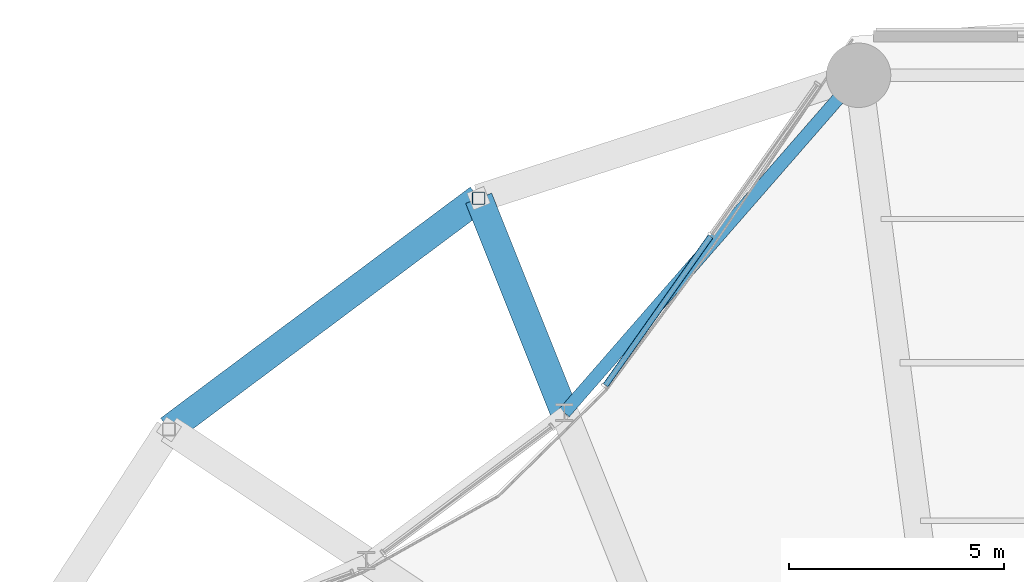
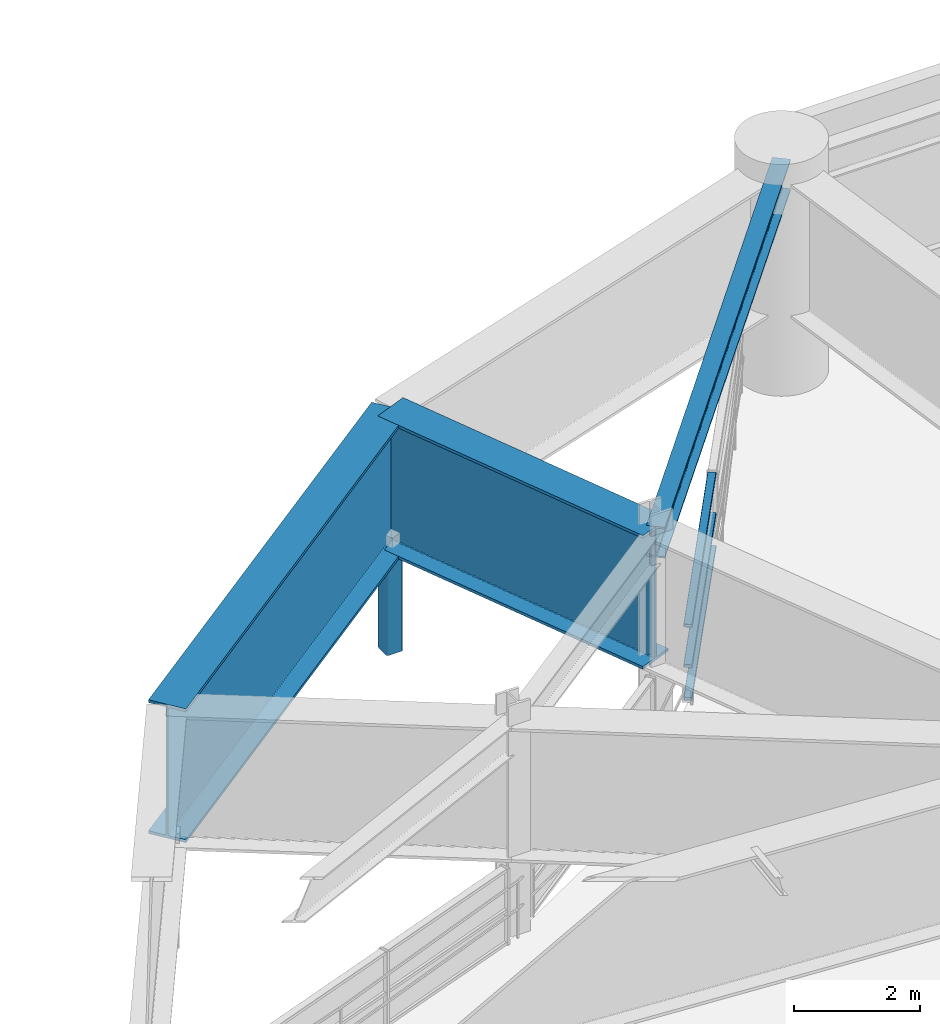
# One storey, part 32 of 53: 4 members, 3 beams, 1 element without a shape of its own.
"""IFC4 building model written with IfcOpenShell, lengths in metres."""

from ifc_helpers import new_model, si_unit, direction, frame, origin, origin_2d, place, context, subcontext, project, spatial, hollow_rectangle, i_section, extrude, material, layer, layer_set, material_profile, profile_set, type_object, element, aggregate, save


model = new_model("IFC4")

# Units and contexts
model_context = context("Model", 3, precision=1e-05, world=origin(), true_north=direction((0.0, 1.0)))
body_context = subcontext(model_context, "Body", "Model", "MODEL_VIEW")
ifc_project = project(units=[si_unit("LENGTHUNIT", "METRE"), si_unit("AREAUNIT", "SQUARE_METRE"), si_unit("VOLUMEUNIT", "CUBIC_METRE"), si_unit("PLANEANGLEUNIT", "RADIAN"), si_unit("MASSUNIT", "GRAM", prefix="KILO")], contexts=[model_context])

# Site, building, storey
site_placement = place(None, origin())
site = spatial("IfcSite", under=ifc_project, at=site_placement, CompositionType="ELEMENT")
building_placement = place(site_placement, origin())
building = spatial("IfcBuilding", under=site, at=building_placement, Name="Kelanora Arch Commons", CompositionType="ELEMENT")
storey_placement = place(building_placement, frame((0.0, 0.0, 9.0)))
storey = spatial("IfcBuildingStorey", under=building, at=storey_placement, Name="L02", CompositionType="ELEMENT", Elevation=9.0)

# Beams
ifc_material_1 = material(Name="Steel S355", Category="steel")
ifc_material_profile_1 = material_profile(ifc_material_1, i_section(OverallWidth=0.300048828125, OverallDepth=0.60009765625, WebThickness=0.015380859375, FlangeThickness=0.030029296875, FilletRadius=0.027099609375, at=origin_2d()), Name="HEB600")
ifc_profile_set_1 = profile_set([ifc_material_profile_1], Name="Steel S355")
beam_type_1 = type_object("IfcBeamType", Name="BM-SPN-Z1", PredefinedType="SPANDREL", material=ifc_profile_set_1)
beam_1_placement = place(storey_placement, frame((69.297607421875, 81.714111328125, 3.800048828125), z_axis=(-0.657228792011, -0.753691127022, 0.0), x_axis=(0.753691127022, -0.657228792011, 0.0)))
element("IfcBeam", 1, at=beam_1_placement, inside=storey, type_object=beam_type_1, Name="Courtyard Inner Edge Spandrel BSC-10 L02", PredefinedType="SPANDREL", context=body_context, shape_type="SweptSolid", body=[
    extrude(i_section(OverallWidth=0.300048828125, OverallDepth=0.60009765625, WebThickness=0.015380859375, FlangeThickness=0.030029296875, FilletRadius=0.027099609375, at=origin_2d()), origin(), (0.0, 0.0, 1.0), 10.412353515625),
])
ifc_material_profile_2 = material_profile(ifc_material_1, i_section(OverallWidth=0.64990234375, OverallDepth=2.60009765625, WebThickness=0.034912109375, FlangeThickness=0.054931640625, FilletRadius=0.028076171875, at=origin_2d()), Name="PG2600x650")
ifc_profile_set_2 = profile_set([ifc_material_profile_2], Name="Steel S355")
beam_type_2 = type_object("IfcBeamType", Name="BM-XFER-ARCH", PredefinedType="USERDEFINED", material=ifc_profile_set_2)
beam_2_placement = place(storey_placement, frame((62.454345703125, 73.866455078125, 2.800048828125), z_axis=(-0.371288801302, 0.928517434423, 0.0), x_axis=(-0.928517434423, -0.371288801302, 0.0)))
element("IfcBeam", 2, at=beam_2_placement, inside=storey, type_object=beam_type_2, Name="Radial Floor Girder BR-12 L02", ObjectType="TRANSFER_GIRDER", PredefinedType="USERDEFINED", context=body_context, shape_type="SweptSolid", body=[
    extrude(i_section(OverallWidth=0.64990234375, OverallDepth=2.60009765625, WebThickness=0.034912109375, FlangeThickness=0.054931640625, FilletRadius=0.028076171875, at=origin_2d()), origin(), (0.0, 0.0, 1.0), 5.37158203125),
])
beam_3_placement = place(storey_placement, frame((60.4599609375, 78.85400390625, 2.800048828125), z_axis=(-0.801467504127, -0.598038326388, 0.0), x_axis=(0.598038326388, -0.801467504127, 0.0)))
element("IfcBeam", 3, at=beam_3_placement, inside=storey, type_object=beam_type_2, Name="Perimeter Spandrel Beam BS-12 L02", ObjectType="TRANSFER_GIRDER", PredefinedType="USERDEFINED", context=body_context, shape_type="SweptSolid", body=[
    extrude(i_section(OverallWidth=0.64990234375, OverallDepth=2.60009765625, WebThickness=0.034912109375, FlangeThickness=0.054931640625, FilletRadius=0.028076171875, at=origin_2d()), origin(), (0.0, 0.0, 1.0), 8.989013671875),
])

# Curtain wall, members
ifc_material_2 = material(Name="Terracotta ceramic-fritted low-E glass and aluminium", Category="masonry")
ifc_layer = layer(ifc_material_2, 0.2099609375)
ifc_layer_set = layer_set([ifc_layer], Name="Terracotta ceramic-fritted low-E glass and aluminium")
curtain_wall_type = type_object("IfcCurtainWallType", Name="CW-SYS-04", PredefinedType="NOTDEFINED", material=ifc_layer_set)
curtain_wall_placement = place(storey_placement, origin())
curtain_wall = element("IfcCurtainWall", 4, at=curtain_wall_placement, inside=storey, type_object=curtain_wall_type, Name="Unitised Curtain Wall L02-B05", PredefinedType="NOTDEFINED")
ifc_material_3 = material(Name="Powder-coated aluminium terracotta", Category="masonry")
ifc_material_profile_3 = material_profile(ifc_material_3, hollow_rectangle(XDim=0.139892578125, YDim=0.06005859375, WallThickness=0.0048828125, InnerFilletRadius=0.0048828125, OuterFilletRadius=0.010009765625, at=origin_2d()), Name="CWT140x60")
ifc_profile_set_3 = profile_set([ifc_material_profile_3], Name="Powder-coated aluminium terracotta")
member_type_1 = type_object("IfcMemberType", Name="CWT-HVY", PredefinedType="USERDEFINED", material=ifc_profile_set_3)
member_1_placement = place(storey_placement, frame((65.856689453125, 77.9677734375, 0.030029296875), z_axis=(-0.576321543943, -0.817223028302, 0.0), x_axis=(0.817223028302, -0.576321543943, 0.0)))
member_1 = element("IfcMember", 5, at=member_1_placement, type_object=member_type_1, Name="CW-04 transom 2.1", ObjectType="TRANSOM", PredefinedType="USERDEFINED", context=body_context, shape_type="SweptSolid", body=[
    extrude(hollow_rectangle(XDim=0.139892578125, YDim=0.06005859375, WallThickness=0.0048828125, InnerFilletRadius=0.0048828125, OuterFilletRadius=0.010009765625, at=origin_2d()), origin(), (0.0, 0.0, 1.0), 4.2412109375),
])
member_2_placement = place(storey_placement, frame((65.856689453125, 77.9677734375, 0.666015625), z_axis=(-0.576321543943, -0.817223028302, 0.0), x_axis=(0.817223028302, -0.576321543943, 0.0)))
member_2 = element("IfcMember", 6, at=member_2_placement, type_object=member_type_1, Name="CW-04 transom 2.2", ObjectType="TRANSOM", PredefinedType="USERDEFINED", context=body_context, shape_type="SweptSolid", body=[
    extrude(hollow_rectangle(XDim=0.139892578125, YDim=0.06005859375, WallThickness=0.0048828125, InnerFilletRadius=0.0048828125, OuterFilletRadius=0.010009765625, at=origin_2d()), origin(), (0.0, 0.0, 1.0), 4.2412109375),
])
member_3_placement = place(storey_placement, frame((65.856689453125, 77.9677734375, 1.449951171875), z_axis=(-0.576321543943, -0.817223028302, 0.0), x_axis=(0.817223028302, -0.576321543943, 0.0)))
member_3 = element("IfcMember", 7, at=member_3_placement, type_object=member_type_1, Name="CW-04 transom 2.3", ObjectType="TRANSOM", PredefinedType="USERDEFINED", context=body_context, shape_type="SweptSolid", body=[
    extrude(hollow_rectangle(XDim=0.139892578125, YDim=0.06005859375, WallThickness=0.0048828125, InnerFilletRadius=0.0048828125, OuterFilletRadius=0.010009765625, at=origin_2d()), origin(), (0.0, 0.0, 1.0), 4.2412109375),
])
aggregate(curtain_wall, [member_1, member_2, member_3])

# Member
ifc_material_profile_4 = material_profile(ifc_material_1, hollow_rectangle(XDim=0.300048828125, YDim=0.300048828125, WallThickness=0.01611328125, InnerFilletRadius=0.01611328125, OuterFilletRadius=0.031982421875, at=origin_2d()), Name="SHS300x300x16")
ifc_profile_set_4 = profile_set([ifc_material_profile_4], Name="Steel S355")
member_type_2 = type_object("IfcMemberType", Name="MEM-ARCH-SPND", PredefinedType="STRUT", material=ifc_profile_set_4)
member_4_placement = place(storey_placement, frame((60.4599609375, 78.85400390625, -0.60009765625), z_axis=(0.0, 0.0, 1.0), x_axis=(1.0, 0.0, 0.0)))
element("IfcMember", 8, at=member_4_placement, inside=storey, type_object=member_type_2, Name="Courtyard Portal Spandrel Strut 12", PredefinedType="STRUT", context=body_context, shape_type="SweptSolid", body=[
    extrude(hollow_rectangle(XDim=0.300048828125, YDim=0.300048828125, WallThickness=0.01611328125, InnerFilletRadius=0.01611328125, OuterFilletRadius=0.031982421875, at=origin_2d()), origin(), (0.0, 0.0, 1.0), 2.14013671875),
])

save(model, "model.ifc")
